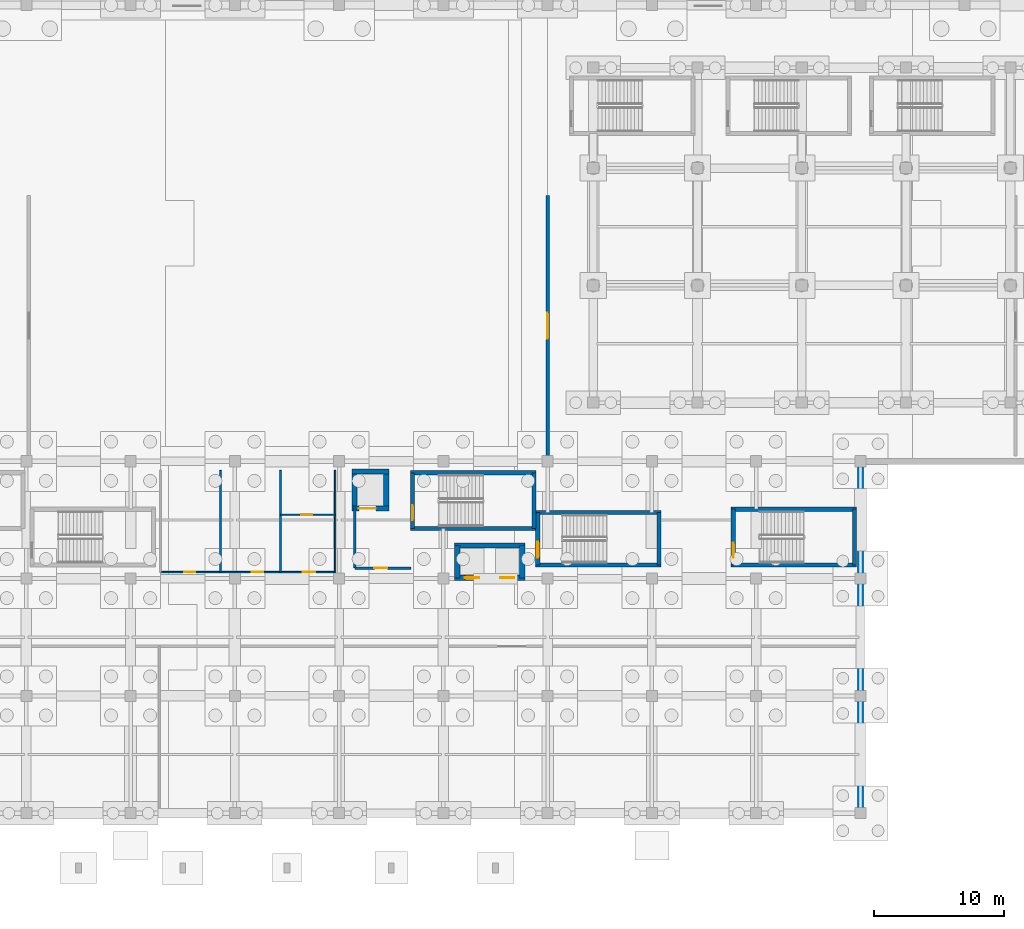
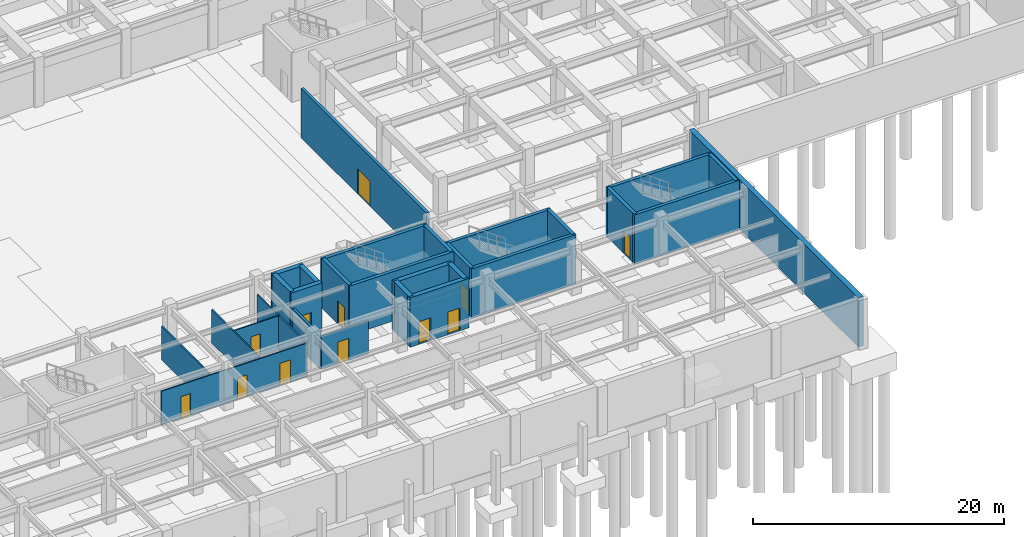
# One storey, part 30 of 48: 29 walls, 12 doors, 12 openings.
"""IFC4 building model written with IfcOpenShell, lengths in metres."""

from ifc_helpers import new_model, si_unit, direction, frame, frame_2d, origin, place, context, subcontext, project, spatial, rectangle, extrude, material, layer, layer_set, type_object, element, fill, save


model = new_model("IFC4")

# Units and contexts
model_context = context("Model", 3, precision=1e-05, world=origin(), true_north=direction((0.0, 1.0)))
body_context = subcontext(model_context, "Body", "Model", "MODEL_VIEW")
ifc_project = project(units=[si_unit("LENGTHUNIT", "METRE"), si_unit("AREAUNIT", "SQUARE_METRE"), si_unit("VOLUMEUNIT", "CUBIC_METRE"), si_unit("PLANEANGLEUNIT", "RADIAN"), si_unit("MASSUNIT", "GRAM", prefix="KILO")], contexts=[model_context])

# Site, building, storey
site_placement = place(None, origin())
site = spatial("IfcSite", under=ifc_project, at=site_placement, CompositionType="ELEMENT")
building_placement = place(site_placement, origin())
building = spatial("IfcBuilding", under=site, at=building_placement, Name="Tlacozan Convention Centre", CompositionType="ELEMENT")
storey_placement = place(building_placement, frame((0.0, 0.0, -4.800048828125)))
storey = spatial("IfcBuildingStorey", under=building, at=storey_placement, Name="B01", CompositionType="ELEMENT", Elevation=-4.800048828125)

# Wall
ifc_material_1 = material(Name="Concrete C35/45", Category="concrete")
ifc_layer_1 = layer(ifc_material_1, 0.4599609375)
ifc_layer_set_1 = layer_set([ifc_layer_1], Name="Concrete C35/45")
wall_type_1 = type_object("IfcWallType", Name="Basement Retaining Wall 460", PredefinedType="SOLIDWALL", material=ifc_layer_set_1)
wall_1_placement = place(storey_placement, frame((112.0, 0.0, 0.0), z_axis=(0.0, 0.0, 1.0), x_axis=(0.0, 1.0, 0.0)))
element("IfcWall", 1, at=wall_1_placement, inside=storey, type_object=wall_type_1, Name="B01 Basement Retaining Wall 460 2", PredefinedType="SOLIDWALL", context=body_context, shape_type="SweptSolid", body=[
    extrude(rectangle(XDim=27.0, YDim=0.4599609375, at=frame_2d((13.5, 0.0))), origin(), (0.0, 0.0, 1.0), 4.800048828125),
])

# Wall, opening, door
ifc_material_2 = material(Name="Concrete C40/50", Category="concrete")
ifc_layer_2 = layer(ifc_material_2, 0.260009765625)
ifc_layer_set_2 = layer_set([ifc_layer_2], Name="Concrete C40/50")
wall_type_2 = type_object("IfcWallType", Name="Compartment Rated Wall RC 260", PredefinedType="SOLIDWALL", material=ifc_layer_set_2)
wall_2_placement = place(storey_placement, frame((88.0, 27.39990234375, 0.0), z_axis=(0.0, 0.0, 1.0), x_axis=(0.0, 1.0, 0.0)))
wall_2 = element("IfcWall", 2, at=wall_2_placement, inside=storey, type_object=wall_type_2, Name="B01 Compartment Rated Wall RC 260 569", PredefinedType="SOLIDWALL", context=body_context, shape_type="SweptSolid", body=[
    extrude(rectangle(XDim=20.0, YDim=0.260009765625, at=frame_2d((10.0, 0.0))), origin(), (0.0, 0.0, 1.0), 4.800048828125),
])
opening_1_placement = place(wall_2_placement, frame((9.0, 0.0, 0.0)))
opening_1 = element("IfcOpeningElement", 3, at=opening_1_placement, cuts=wall_2, Name="Opening ID-12", PredefinedType="OPENING", context=body_context, shape_type="SweptSolid", body=[
    extrude(rectangle(XDim=2.0, YDim=2.449951171875, at=frame_2d((1.0, 1.22509765625))), frame((0.0, 0.139892578125, 0.0), z_axis=(0.0, -1.0, 0.0), x_axis=(1.0, 0.0, 0.0)), (0.0, 0.0, 1.0), 0.280029296875),
])
ifc_material_3 = material(Name="Fire-Rated Insulated Steel Door Leaf", Category="steel")
door_type_1 = type_object("IfcDoorType", Name="Plant Equipment Double Door 2000x2450", OperationType="DOUBLE_DOOR_SINGLE_SWING", PredefinedType="DOOR", material=ifc_material_3)
door_1_placement = place(opening_1_placement, origin())
door_1 = element("IfcDoor", 4, at=door_1_placement, inside=storey, type_object=door_type_1, Name="B01 Plant Equipment Double Door 2000x2450 155", OperationType="DOUBLE_DOOR_SINGLE_SWING", OverallHeight=2.449951171875, OverallWidth=2.0, PredefinedType="DOOR", context=body_context, shape_type="SweptSolid", body=[
    extrude(rectangle(XDim=2.0, YDim=2.449951171875, at=frame_2d((1.0, 1.22509765625))), frame((0.0, 0.02490234375, 0.0), z_axis=(0.0, -1.0, 0.0), x_axis=(1.0, 0.0, 0.0)), (0.0, 0.0, 1.0), 0.050048828125),
])
fill(opening_1, door_1)

ifc_layer_3 = layer(ifc_material_2, 0.409912109375)
ifc_layer_set_3 = layer_set([ifc_layer_3], Name="Concrete C40/50")
wall_type_3 = type_object("IfcWallType", Name="Core Shear Wall RC 410", PredefinedType="SHEAR", material=ifc_layer_set_3)
wall_3_placement = place(storey_placement, frame((72.97509765625, 23.3798828125, 0.0), z_axis=(0.0, 0.0, 1.0), x_axis=(1.0, 0.0, 0.0)))
wall_3 = element("IfcWall", 5, at=wall_3_placement, inside=storey, type_object=wall_type_3, Name="B01 Core Shear Wall RC 410 91", PredefinedType="SHEAR", context=body_context, shape_type="SweptSolid", body=[
    extrude(rectangle(XDim=2.849853515625, YDim=0.409912109375, at=frame_2d((1.4248046875, 0.0))), origin(), (0.0, 0.0, 1.0), 4.800048828125),
])
opening_2_placement = place(wall_3_placement, frame((0.550048828125, 0.0, 0.0)))
opening_2 = element("IfcOpeningElement", 6, at=opening_2_placement, cuts=wall_3, Name="Opening LD-02", PredefinedType="OPENING", context=body_context, shape_type="SweptSolid", body=[
    extrude(rectangle(XDim=1.300048828125, YDim=2.25, at=frame_2d((0.64990234375, 1.125))), frame((0.0, 0.21484375, 0.0), z_axis=(0.0, -1.0, 0.0), x_axis=(1.0, 0.0, 0.0)), (0.0, 0.0, 1.0), 0.429931640625),
])
ifc_material_4 = material(Name="Brushed Stainless Steel Sliding Landing Door", Category="steel")
door_type_2 = type_object("IfcDoorType", Name="Firefighting Lift Sliding Door 1300x2250", OperationType="DOUBLE_DOOR_SLIDING", PredefinedType="DOOR", material=ifc_material_4)
door_2_placement = place(opening_2_placement, origin())
door_2 = element("IfcDoor", 7, at=door_2_placement, inside=storey, type_object=door_type_2, Name="B01 Firefighting Lift FL-02 Landing Door", OperationType="DOUBLE_DOOR_SLIDING", OverallHeight=2.25, OverallWidth=1.300048828125, PredefinedType="DOOR", context=body_context, shape_type="SweptSolid", body=[
    extrude(rectangle(XDim=1.300048828125, YDim=2.25, at=frame_2d((0.64990234375, 1.125))), frame((0.0, 0.02490234375, 0.0), z_axis=(0.0, -1.0, 0.0), x_axis=(1.0, 0.0, 0.0)), (0.0, 0.0, 1.0), 0.050048828125),
])
fill(opening_2, door_2)

# Walls
wall_4_placement = place(storey_placement, frame((72.97509765625, 26.219970703125, 0.0), z_axis=(0.0, 0.0, 1.0), x_axis=(1.0, 0.0, 0.0)))
element("IfcWall", 8, at=wall_4_placement, inside=storey, type_object=wall_type_3, Name="B01 Core Shear Wall RC 410 92", PredefinedType="SHEAR", context=body_context, shape_type="SweptSolid", body=[
    extrude(rectangle(XDim=2.849853515625, YDim=0.409912109375, at=frame_2d((1.4248046875, 0.0))), origin(), (0.0, 0.0, 1.0), 4.800048828125),
])
for number, where, z_axis, x_axis, name in (
    (9, (73.179931640625, 23.3798828125, 0.0), (0.0, 0.0, 1.0), (0.0, 1.0, 0.0), "B01 Core Shear Wall RC 410 93"),
    (10, (75.6201171875, 23.3798828125, 0.0), (0.0, 0.0, 1.0), (0.0, 1.0, 0.0), "B01 Core Shear Wall RC 410 94"),
):
    element("IfcWall", number, at=place(storey_placement, frame(where, z_axis=z_axis, x_axis=x_axis)), inside=storey, type_object=wall_type_3, Name=name, PredefinedType="SHEAR", context=body_context, shape_type="SweptSolid", body=[
        extrude(rectangle(XDim=2.840087890625, YDim=0.409912109375, at=frame_2d((1.419921875, 0.0))), origin(), (0.0, 0.0, 1.0), 4.800048828125),
    ])

# Wall, openings, doors
wall_5_placement = place(storey_placement, frame((80.85498046875, 18.06005859375, 0.0), z_axis=(0.0, 0.0, 1.0), x_axis=(1.0, 0.0, 0.0)))
wall_5 = element("IfcWall", 11, at=wall_5_placement, inside=storey, type_object=wall_type_3, Name="B01 Core Shear Wall RC 410 95", PredefinedType="SHEAR", context=body_context, shape_type="SweptSolid", body=[
    extrude(rectangle(XDim=5.39013671875, YDim=0.409912109375, at=frame_2d((2.695068359375, 0.0))), origin(), (0.0, 0.0, 1.0), 4.800048828125),
])
opening_3_placement = place(wall_5_placement, frame((0.794921875, 0.0, 0.0)))
opening_3 = element("IfcOpeningElement", 12, at=opening_3_placement, cuts=wall_5, Name="Opening LD-01", PredefinedType="OPENING", context=body_context, shape_type="SweptSolid", body=[
    extrude(rectangle(XDim=1.10009765625, YDim=2.199951171875, at=frame_2d((0.550048828125, 1.10009765625))), frame((0.0, 0.21484375, 0.0), z_axis=(0.0, -1.0, 0.0), x_axis=(1.0, 0.0, 0.0)), (0.0, 0.0, 1.0), 0.429931640625),
])
opening_4_placement = place(wall_5_placement, frame((3.4951171875, 0.0, 0.0)))
opening_4 = element("IfcOpeningElement", 13, at=opening_4_placement, cuts=wall_5, Name="Opening LD-01", PredefinedType="OPENING", context=body_context, shape_type="SweptSolid", body=[
    extrude(rectangle(XDim=1.10009765625, YDim=2.199951171875, at=frame_2d((0.550048828125, 1.10009765625))), frame((0.0, 0.21484375, 0.0), z_axis=(0.0, -1.0, 0.0), x_axis=(1.0, 0.0, 0.0)), (0.0, 0.0, 1.0), 0.429931640625),
])
door_type_3 = type_object("IfcDoorType", Name="Lift Sliding Landing Door 1100x2200", OperationType="DOUBLE_DOOR_SLIDING", PredefinedType="DOOR", material=ifc_material_4)
door_3_placement = place(opening_3_placement, origin())
door_3 = element("IfcDoor", 14, at=door_3_placement, inside=storey, type_object=door_type_3, Name="B01 Lift PL-03 Landing Door", OperationType="DOUBLE_DOOR_SLIDING", OverallHeight=2.199951171875, OverallWidth=1.10009765625, PredefinedType="DOOR", context=body_context, shape_type="SweptSolid", body=[
    extrude(rectangle(XDim=1.10009765625, YDim=2.199951171875, at=frame_2d((0.550048828125, 1.10009765625))), frame((0.0, 0.02490234375, 0.0), z_axis=(0.0, -1.0, 0.0), x_axis=(1.0, 0.0, 0.0)), (0.0, 0.0, 1.0), 0.050048828125),
])
fill(opening_3, door_3)
door_4_placement = place(opening_4_placement, origin())
door_4 = element("IfcDoor", 15, at=door_4_placement, inside=storey, type_object=door_type_3, Name="B01 Lift PL-04 Landing Door", OperationType="DOUBLE_DOOR_SLIDING", OverallHeight=2.199951171875, OverallWidth=1.10009765625, PredefinedType="DOOR", context=body_context, shape_type="SweptSolid", body=[
    extrude(rectangle(XDim=1.10009765625, YDim=2.199951171875, at=frame_2d((0.550048828125, 1.10009765625))), frame((0.0, 0.02490234375, 0.0), z_axis=(0.0, -1.0, 0.0), x_axis=(1.0, 0.0, 0.0)), (0.0, 0.0, 1.0), 0.050048828125),
])
fill(opening_4, door_4)

# Walls
wall_6_placement = place(storey_placement, frame((80.85498046875, 20.5400390625, 0.0), z_axis=(0.0, 0.0, 1.0), x_axis=(1.0, 0.0, 0.0)))
element("IfcWall", 16, at=wall_6_placement, inside=storey, type_object=wall_type_3, Name="B01 Core Shear Wall RC 410 96", PredefinedType="SHEAR", context=body_context, shape_type="SweptSolid", body=[
    extrude(rectangle(XDim=5.39013671875, YDim=0.409912109375, at=frame_2d((2.695068359375, 0.0))), origin(), (0.0, 0.0, 1.0), 4.800048828125),
])
for number, where, z_axis, x_axis, name in (
    (17, (81.06005859375, 18.06005859375, 0.0), (0.0, 0.0, 1.0), (0.0, 1.0, 0.0), "B01 Core Shear Wall RC 410 97"),
    (18, (86.0400390625, 18.06005859375, 0.0), (0.0, 0.0, 1.0), (0.0, 1.0, 0.0), "B01 Core Shear Wall RC 410 98"),
):
    element("IfcWall", number, at=place(storey_placement, frame(where, z_axis=z_axis, x_axis=x_axis)), inside=storey, type_object=wall_type_3, Name=name, PredefinedType="SHEAR", context=body_context, shape_type="SweptSolid", body=[
        extrude(rectangle(XDim=2.47998046875, YDim=0.409912109375, at=frame_2d((1.239990234375, 0.0))), origin(), (0.0, 0.0, 1.0), 4.800048828125),
    ])

# Wall, opening, door
ifc_material_5 = material(Name="Fire-Rated Gypsum Stud Partition Assembly")
ifc_layer_4 = layer(ifc_material_5, 0.2099609375)
ifc_layer_set_4 = layer_set([ifc_layer_4], Name="Fire-Rated Gypsum Stud Partition Assembly")
wall_type_4 = type_object("IfcWallType", Name="Firefighting Lobby Rated Wall 210", PredefinedType="PARTITIONING", material=ifc_layer_set_4)
wall_7_placement = place(storey_placement, frame((73.199951171875, 18.800048828125, 0.0), z_axis=(0.0, 0.0, 1.0), x_axis=(1.0, 0.0, 0.0)))
wall_7 = element("IfcWall", 19, at=wall_7_placement, inside=storey, type_object=wall_type_4, Name="B01 Firefighting Lobby Rated Wall 210 89", PredefinedType="PARTITIONING", context=body_context, shape_type="SweptSolid", body=[
    extrude(rectangle(XDim=4.300048828125, YDim=0.2099609375, at=frame_2d((2.14990234375, 0.0))), origin(), (0.0, 0.0, 1.0), 3.25),
])
opening_5_placement = place(wall_7_placement, frame((1.5, 0.0, 0.0)))
opening_5 = element("IfcOpeningElement", 20, at=opening_5_placement, cuts=wall_7, Name="Opening FD-01", PredefinedType="OPENING", context=body_context, shape_type="SweptSolid", body=[
    extrude(rectangle(XDim=1.0, YDim=2.14990234375, at=frame_2d((0.5, 1.074951171875))), frame((0.0, 0.114990234375, 0.0), z_axis=(0.0, -1.0, 0.0), x_axis=(1.0, 0.0, 0.0)), (0.0, 0.0, 1.0), 0.22998046875),
])
door_type_4 = type_object("IfcDoorType", Name="Fire Door Single 1000x2150 FD90", OperationType="NOTDEFINED", PredefinedType="DOOR", material=ifc_material_3)
door_5_placement = place(opening_5_placement, origin())
door_5 = element("IfcDoor", 21, at=door_5_placement, inside=storey, type_object=door_type_4, Name="B01 CORE-2 Firefighting Lobby Entry Door", OperationType="SINGLE_SWING_LEFT", OverallHeight=2.14990234375, OverallWidth=1.0, PredefinedType="DOOR", context=body_context, shape_type="SweptSolid", body=[
    extrude(rectangle(XDim=1.0, YDim=2.14990234375, at=frame_2d((0.5, 1.074951171875))), frame((0.0, 0.02490234375, 0.0), z_axis=(0.0, -1.0, 0.0), x_axis=(1.0, 0.0, 0.0)), (0.0, 0.0, 1.0), 0.050048828125),
])
fill(opening_5, door_5)

# Wall
wall_8_placement = place(storey_placement, frame((73.199951171875, 18.800048828125, 0.0), z_axis=(0.0, 0.0, 1.0), x_axis=(0.0, 1.0, 0.0)))
element("IfcWall", 22, at=wall_8_placement, inside=storey, type_object=wall_type_4, Name="B01 Firefighting Lobby Rated Wall 210 90", PredefinedType="PARTITIONING", context=body_context, shape_type="SweptSolid", body=[
    extrude(rectangle(XDim=4.599853515625, YDim=0.2099609375, at=frame_2d((2.2998046875, 0.0))), origin(), (0.0, 0.0, 1.0), 3.25),
])

# Wall, openings, doors
ifc_material_6 = material(Name="Acoustic Double-Stud Partition Assembly")
ifc_layer_5 = layer(ifc_material_6, 0.1201171875)
ifc_layer_set_5 = layer_set([ifc_layer_5], Name="Acoustic Double-Stud Partition Assembly")
wall_type_5 = type_object("IfcWallType", Name="Sanitary Tile Partition 120", PredefinedType="PARTITIONING", material=ifc_layer_set_5)
wall_9_placement = place(storey_placement, frame((58.300048828125, 18.5, 0.0), z_axis=(0.0, 0.0, 1.0), x_axis=(1.0, 0.0, 0.0)))
wall_9 = element("IfcWall", 23, at=wall_9_placement, inside=storey, type_object=wall_type_5, Name="B01 Sanitary Tile Partition 120 525", PredefinedType="PARTITIONING", context=body_context, shape_type="SweptSolid", body=[
    extrude(rectangle(XDim=13.39990234375, YDim=0.1201171875, at=frame_2d((6.699951171875, 0.0))), origin(), (0.0, 0.0, 1.0), 3.25),
])
opening_6_placement = place(wall_9_placement, frame((1.800048828125, 0.0, 0.0)))
opening_6 = element("IfcOpeningElement", 24, at=opening_6_placement, cuts=wall_9, Name="Opening ID-05", PredefinedType="OPENING", context=body_context, shape_type="SweptSolid", body=[
    extrude(rectangle(XDim=0.8798828125, YDim=2.10009765625, at=frame_2d((0.43994140625, 1.050048828125))), frame((0.0, 0.070068359375, 0.0), z_axis=(0.0, -1.0, 0.0), x_axis=(1.0, 0.0, 0.0)), (0.0, 0.0, 1.0), 0.14013671875),
])
opening_7_placement = place(wall_9_placement, frame((7.0, 0.0, 0.0)))
opening_7 = element("IfcOpeningElement", 25, at=opening_7_placement, cuts=wall_9, Name="Opening ID-05", PredefinedType="OPENING", context=body_context, shape_type="SweptSolid", body=[
    extrude(rectangle(XDim=0.8798828125, YDim=2.10009765625, at=frame_2d((0.43994140625, 1.050048828125))), frame((0.0, 0.070068359375, 0.0), z_axis=(0.0, -1.0, 0.0), x_axis=(1.0, 0.0, 0.0)), (0.0, 0.0, 1.0), 0.14013671875),
])
opening_8_placement = place(wall_9_placement, frame((10.89990234375, 0.0, 0.0)))
opening_8 = element("IfcOpeningElement", 26, at=opening_8_placement, cuts=wall_9, Name="Opening ID-04", PredefinedType="OPENING", context=body_context, shape_type="SweptSolid", body=[
    extrude(rectangle(XDim=0.97998046875, YDim=2.14990234375, at=frame_2d((0.489990234375, 1.074951171875))), frame((0.0, 0.070068359375, 0.0), z_axis=(0.0, -1.0, 0.0), x_axis=(1.0, 0.0, 0.0)), (0.0, 0.0, 1.0), 0.14013671875),
])
ifc_material_7 = material(Name="Acoustic Solid-Core Oak Veneer Door")
door_type_5 = type_object("IfcDoorType", Name="Accessible Restroom Door 980x2150", OperationType="NOTDEFINED", PredefinedType="DOOR", material=ifc_material_7)
door_6_placement = place(opening_8_placement, origin())
door_6 = element("IfcDoor", 27, at=door_6_placement, inside=storey, type_object=door_type_5, Name="B01 Accessible Restroom Door", OperationType="SINGLE_SWING_LEFT", OverallHeight=2.14990234375, OverallWidth=0.97998046875, PredefinedType="DOOR", context=body_context, shape_type="SweptSolid", body=[
    extrude(rectangle(XDim=0.97998046875, YDim=2.14990234375, at=frame_2d((0.489990234375, 1.074951171875))), frame((0.0, 0.02490234375, 0.0), z_axis=(0.0, -1.0, 0.0), x_axis=(1.0, 0.0, 0.0)), (0.0, 0.0, 1.0), 0.050048828125),
])
fill(opening_8, door_6)
door_type_6 = type_object("IfcDoorType", Name="Restroom Single Door 880x2100", OperationType="NOTDEFINED", PredefinedType="DOOR", material=ifc_material_7)
door_7_placement = place(opening_6_placement, origin())
door_7 = element("IfcDoor", 28, at=door_7_placement, inside=storey, type_object=door_type_6, Name="B01 Male Restroom Door", OperationType="SINGLE_SWING_LEFT", OverallHeight=2.10009765625, OverallWidth=0.8798828125, PredefinedType="DOOR", context=body_context, shape_type="SweptSolid", body=[
    extrude(rectangle(XDim=0.8798828125, YDim=2.10009765625, at=frame_2d((0.43994140625, 1.050048828125))), frame((0.0, 0.02490234375, 0.0), z_axis=(0.0, -1.0, 0.0), x_axis=(1.0, 0.0, 0.0)), (0.0, 0.0, 1.0), 0.050048828125),
])
fill(opening_6, door_7)
door_8_placement = place(opening_7_placement, origin())
door_8 = element("IfcDoor", 29, at=door_8_placement, inside=storey, type_object=door_type_6, Name="B01 Female Restroom Door", OperationType="SINGLE_SWING_RIGHT", OverallHeight=2.10009765625, OverallWidth=0.8798828125, PredefinedType="DOOR", context=body_context, shape_type="SweptSolid", body=[
    extrude(rectangle(XDim=0.8798828125, YDim=2.10009765625, at=frame_2d((0.43994140625, 1.050048828125))), frame((0.0, 0.02490234375, 0.0), z_axis=(0.0, -1.0, 0.0), x_axis=(1.0, 0.0, 0.0)), (0.0, 0.0, 1.0), 0.050048828125),
])
fill(opening_7, door_8)

# Walls
for number, where, z_axis, x_axis, name in (
    (30, (62.89990234375, 18.5, 0.0), (0.0, 0.0, 1.0), (0.0, 1.0, 0.0), "B01 Sanitary Tile Partition 120 527"),
    (31, (67.5, 18.5, 0.0), (0.0, 0.0, 1.0), (0.0, 1.0, 0.0), "B01 Sanitary Tile Partition 120 528"),
    (32, (71.699951171875, 18.5, 0.0), (0.0, 0.0, 1.0), (0.0, 1.0, 0.0), "B01 Sanitary Tile Partition 120 529"),
):
    element("IfcWall", number, at=place(storey_placement, frame(where, z_axis=z_axis, x_axis=x_axis)), inside=storey, type_object=wall_type_5, Name=name, PredefinedType="PARTITIONING", context=body_context, shape_type="SweptSolid", body=[
        extrude(rectangle(XDim=7.800048828125, YDim=0.1201171875, at=frame_2d((3.89990234375, 0.0))), origin(), (0.0, 0.0, 1.0), 3.25),
    ])

# Wall, opening, door
ifc_layer_6 = layer(ifc_material_5, 0.10009765625)
ifc_layer_set_6 = layer_set([ifc_layer_6], Name="Fire-Rated Gypsum Stud Partition Assembly")
wall_type_6 = type_object("IfcWallType", Name="Service Duct Partition 100", PredefinedType="PARTITIONING", material=ifc_layer_set_6)
wall_10_placement = place(storey_placement, frame((67.5, 22.89990234375, 0.0), z_axis=(0.0, 0.0, 1.0), x_axis=(1.0, 0.0, 0.0)))
wall_10 = element("IfcWall", 33, at=wall_10_placement, inside=storey, type_object=wall_type_6, Name="B01 Service Duct Partition 100 530", PredefinedType="PARTITIONING", context=body_context, shape_type="SweptSolid", body=[
    extrude(rectangle(XDim=4.199951171875, YDim=0.10009765625, at=frame_2d((2.10009765625, 0.0))), origin(), (0.0, 0.0, 1.0), 3.25),
])
opening_9_placement = place(wall_10_placement, frame((1.60009765625, 0.0, 0.0)))
opening_9 = element("IfcOpeningElement", 34, at=opening_9_placement, cuts=wall_10, Name="Opening ID-06", PredefinedType="OPENING", context=body_context, shape_type="SweptSolid", body=[
    extrude(rectangle(XDim=0.85009765625, YDim=2.10009765625, at=frame_2d((0.425048828125, 1.050048828125))), frame((0.0, 0.06005859375, 0.0), z_axis=(0.0, -1.0, 0.0), x_axis=(1.0, 0.0, 0.0)), (0.0, 0.0, 1.0), 0.1201171875),
])
door_type_7 = type_object("IfcDoorType", Name="Service Closet Door 850x2100", OperationType="NOTDEFINED", PredefinedType="DOOR", material=ifc_material_7)
door_9_placement = place(opening_9_placement, origin())
door_9 = element("IfcDoor", 35, at=door_9_placement, inside=storey, type_object=door_type_7, Name="B01 Housekeeping Closet Door", OperationType="SINGLE_SWING_RIGHT", OverallHeight=2.10009765625, OverallWidth=0.85009765625, PredefinedType="DOOR", context=body_context, shape_type="SweptSolid", body=[
    extrude(rectangle(XDim=0.85009765625, YDim=2.10009765625, at=frame_2d((0.425048828125, 1.050048828125))), frame((0.0, 0.02490234375, 0.0), z_axis=(0.0, -1.0, 0.0), x_axis=(1.0, 0.0, 0.0)), (0.0, 0.0, 1.0), 0.050048828125),
])
fill(opening_9, door_9)

# Walls
ifc_layer_7 = layer(ifc_material_2, 0.31005859375)
ifc_layer_set_7 = layer_set([ifc_layer_7], Name="Concrete C40/50")
wall_type_7 = type_object("IfcWallType", Name="Stair Shaft Shear Wall RC 310", PredefinedType="SHEAR", material=ifc_layer_set_7)
for number, where, z_axis, x_axis, name in (
    (36, (77.485107421875, 21.840087890625, 0.0), (0.0, 0.0, 1.0), (1.0, 0.0, 0.0), "B01 Stair Shaft Shear Wall RC 310 85"),
    (37, (77.485107421875, 26.1201171875, 0.0), (0.0, 0.0, 1.0), (1.0, 0.0, 0.0), "B01 Stair Shaft Shear Wall RC 310 86"),
):
    element("IfcWall", number, at=place(storey_placement, frame(where, z_axis=z_axis, x_axis=x_axis)), inside=storey, type_object=wall_type_7, Name=name, PredefinedType="SHEAR", context=body_context, shape_type="SweptSolid", body=[
        extrude(rectangle(XDim=9.6298828125, YDim=0.31005859375, at=frame_2d((4.81494140625, 0.0))), origin(), (0.0, 0.0, 1.0), 4.800048828125),
    ])

# Wall, opening, door
wall_11_placement = place(storey_placement, frame((77.639892578125, 21.840087890625, 0.0), z_axis=(0.0, 0.0, 1.0), x_axis=(0.0, 1.0, 0.0)))
wall_11 = element("IfcWall", 38, at=wall_11_placement, inside=storey, type_object=wall_type_7, Name="B01 Stair Shaft Shear Wall RC 310 87", PredefinedType="SHEAR", context=body_context, shape_type="SweptSolid", body=[
    extrude(rectangle(XDim=4.280029296875, YDim=0.31005859375, at=frame_2d((2.14013671875, 0.0))), origin(), (0.0, 0.0, 1.0), 4.800048828125),
])
opening_10_placement = place(wall_11_placement, frame((0.64990234375, 0.0, 0.0)))
opening_10 = element("IfcOpeningElement", 39, at=opening_10_placement, cuts=wall_11, Name="Opening FD-02", PredefinedType="OPENING", context=body_context, shape_type="SweptSolid", body=[
    extrude(rectangle(XDim=1.14990234375, YDim=2.199951171875, at=frame_2d((0.574951171875, 1.10009765625))), frame((0.0, 0.1650390625, 0.0), z_axis=(0.0, -1.0, 0.0), x_axis=(1.0, 0.0, 0.0)), (0.0, 0.0, 1.0), 0.330078125),
])
door_type_8 = type_object("IfcDoorType", Name="Fire Door Stair 1150x2200 FD90", OperationType="NOTDEFINED", PredefinedType="DOOR", material=ifc_material_3)
door_10_placement = place(opening_10_placement, origin())
door_10 = element("IfcDoor", 40, at=door_10_placement, inside=storey, type_object=door_type_8, Name="B01 Stair ST-02 Fire Door", OperationType="SINGLE_SWING_RIGHT", OverallHeight=2.199951171875, OverallWidth=1.14990234375, PredefinedType="DOOR", context=body_context, shape_type="SweptSolid", body=[
    extrude(rectangle(XDim=1.14990234375, YDim=2.199951171875, at=frame_2d((0.574951171875, 1.10009765625))), frame((0.0, 0.02490234375, 0.0), z_axis=(0.0, -1.0, 0.0), x_axis=(1.0, 0.0, 0.0)), (0.0, 0.0, 1.0), 0.050048828125),
])
fill(opening_10, door_10)

# Walls
wall_12_placement = place(storey_placement, frame((86.9599609375, 21.840087890625, 0.0), z_axis=(0.0, 0.0, 1.0), x_axis=(0.0, 1.0, 0.0)))
element("IfcWall", 41, at=wall_12_placement, inside=storey, type_object=wall_type_7, Name="B01 Stair Shaft Shear Wall RC 310 88", PredefinedType="SHEAR", context=body_context, shape_type="SweptSolid", body=[
    extrude(rectangle(XDim=4.280029296875, YDim=0.31005859375, at=frame_2d((2.14013671875, 0.0))), origin(), (0.0, 0.0, 1.0), 4.800048828125),
])
for number, where, z_axis, x_axis, name in (
    (42, (102.0849609375, 19.0400390625, 0.0), (0.0, 0.0, 1.0), (1.0, 0.0, 0.0), "B01 Stair Shaft Shear Wall RC 310 265"),
    (43, (102.0849609375, 23.320068359375, 0.0), (0.0, 0.0, 1.0), (1.0, 0.0, 0.0), "B01 Stair Shaft Shear Wall RC 310 266"),
):
    element("IfcWall", number, at=place(storey_placement, frame(where, z_axis=z_axis, x_axis=x_axis)), inside=storey, type_object=wall_type_7, Name=name, PredefinedType="SHEAR", context=body_context, shape_type="SweptSolid", body=[
        extrude(rectangle(XDim=9.630126953125, YDim=0.31005859375, at=frame_2d((4.81494140625, 0.0))), origin(), (0.0, 0.0, 1.0), 4.800048828125),
    ])

# Wall, opening, door
wall_13_placement = place(storey_placement, frame((102.239990234375, 19.0400390625, 0.0), z_axis=(0.0, 0.0, 1.0), x_axis=(0.0, 1.0, 0.0)))
wall_13 = element("IfcWall", 44, at=wall_13_placement, inside=storey, type_object=wall_type_7, Name="B01 Stair Shaft Shear Wall RC 310 267", PredefinedType="SHEAR", context=body_context, shape_type="SweptSolid", body=[
    extrude(rectangle(XDim=4.280029296875, YDim=0.31005859375, at=frame_2d((2.14013671875, 0.0))), origin(), (0.0, 0.0, 1.0), 4.800048828125),
])
opening_11_placement = place(wall_13_placement, frame((0.550048828125, 0.0, 0.0)))
opening_11 = element("IfcOpeningElement", 45, at=opening_11_placement, cuts=wall_13, Name="Opening FD-02", PredefinedType="OPENING", context=body_context, shape_type="SweptSolid", body=[
    extrude(rectangle(XDim=1.14990234375, YDim=2.199951171875, at=frame_2d((0.574951171875, 1.10009765625))), frame((0.0, 0.1650390625, 0.0), z_axis=(0.0, -1.0, 0.0), x_axis=(1.0, 0.0, 0.0)), (0.0, 0.0, 1.0), 0.330078125),
])
door_11_placement = place(opening_11_placement, origin())
door_11 = element("IfcDoor", 46, at=door_11_placement, inside=storey, type_object=door_type_8, Name="B01 Stair ST-05 Access Door", OperationType="SINGLE_SWING_LEFT", OverallHeight=2.199951171875, OverallWidth=1.14990234375, PredefinedType="DOOR", context=body_context, shape_type="SweptSolid", body=[
    extrude(rectangle(XDim=1.14990234375, YDim=2.199951171875, at=frame_2d((0.574951171875, 1.10009765625))), frame((0.0, 0.02490234375, 0.0), z_axis=(0.0, -1.0, 0.0), x_axis=(1.0, 0.0, 0.0)), (0.0, 0.0, 1.0), 0.050048828125),
])
fill(opening_11, door_11)

# Walls
wall_14_placement = place(storey_placement, frame((111.56005859375, 19.0400390625, 0.0), z_axis=(0.0, 0.0, 1.0), x_axis=(0.0, 1.0, 0.0)))
element("IfcWall", 47, at=wall_14_placement, inside=storey, type_object=wall_type_7, Name="B01 Stair Shaft Shear Wall RC 310 268", PredefinedType="SHEAR", context=body_context, shape_type="SweptSolid", body=[
    extrude(rectangle(XDim=4.280029296875, YDim=0.31005859375, at=frame_2d((2.14013671875, 0.0))), origin(), (0.0, 0.0, 1.0), 4.800048828125),
])
for number, where, z_axis, x_axis, name in (
    (48, (87.0849609375, 19.0400390625, 0.0), (0.0, 0.0, 1.0), (1.0, 0.0, 0.0), "B01 Stair Shaft Shear Wall RC 310 333"),
    (49, (87.0849609375, 23.06005859375, 0.0), (0.0, 0.0, 1.0), (1.0, 0.0, 0.0), "B01 Stair Shaft Shear Wall RC 310 334"),
):
    element("IfcWall", number, at=place(storey_placement, frame(where, z_axis=z_axis, x_axis=x_axis)), inside=storey, type_object=wall_type_7, Name=name, PredefinedType="SHEAR", context=body_context, shape_type="SweptSolid", body=[
        extrude(rectangle(XDim=9.630126953125, YDim=0.31005859375, at=frame_2d((4.81494140625, 0.0))), origin(), (0.0, 0.0, 1.0), 4.800048828125),
    ])

# Wall, opening, door
wall_15_placement = place(storey_placement, frame((87.239990234375, 19.0400390625, 0.0), z_axis=(0.0, 0.0, 1.0), x_axis=(0.0, 1.0, 0.0)))
wall_15 = element("IfcWall", 50, at=wall_15_placement, inside=storey, type_object=wall_type_7, Name="B01 Stair Shaft Shear Wall RC 310 335", PredefinedType="SHEAR", context=body_context, shape_type="SweptSolid", body=[
    extrude(rectangle(XDim=4.02001953125, YDim=0.31005859375, at=frame_2d((2.010009765625, 0.0))), origin(), (0.0, 0.0, 1.0), 4.800048828125),
])
opening_12_placement = place(wall_15_placement, frame((0.550048828125, 0.0, 0.0)))
opening_12 = element("IfcOpeningElement", 51, at=opening_12_placement, cuts=wall_15, Name="Opening FD-05", PredefinedType="OPENING", context=body_context, shape_type="SweptSolid", body=[
    extrude(rectangle(XDim=1.25, YDim=2.199951171875, at=frame_2d((0.625, 1.10009765625))), frame((0.0, 0.1650390625, 0.0), z_axis=(0.0, -1.0, 0.0), x_axis=(1.0, 0.0, 0.0)), (0.0, 0.0, 1.0), 0.330078125),
])
door_type_9 = type_object("IfcDoorType", Name="Fire Door Wide Stair 1250x2200 FD90", OperationType="NOTDEFINED", PredefinedType="DOOR", material=ifc_material_3)
door_12_placement = place(opening_12_placement, origin())
door_12 = element("IfcDoor", 52, at=door_12_placement, inside=storey, type_object=door_type_9, Name="B01 Stair ST-15 Access Door", OperationType="SINGLE_SWING_RIGHT", OverallHeight=2.199951171875, OverallWidth=1.25, PredefinedType="DOOR", context=body_context, shape_type="SweptSolid", body=[
    extrude(rectangle(XDim=1.25, YDim=2.199951171875, at=frame_2d((0.625, 1.10009765625))), frame((0.0, 0.02490234375, 0.0), z_axis=(0.0, -1.0, 0.0), x_axis=(1.0, 0.0, 0.0)), (0.0, 0.0, 1.0), 0.050048828125),
])
fill(opening_12, door_12)

# Wall
wall_16_placement = place(storey_placement, frame((96.56005859375, 19.0400390625, 0.0), z_axis=(0.0, 0.0, 1.0), x_axis=(0.0, 1.0, 0.0)))
element("IfcWall", 53, at=wall_16_placement, inside=storey, type_object=wall_type_7, Name="B01 Stair Shaft Shear Wall RC 310 336", PredefinedType="SHEAR", context=body_context, shape_type="SweptSolid", body=[
    extrude(rectangle(XDim=4.02001953125, YDim=0.31005859375, at=frame_2d((2.010009765625, 0.0))), origin(), (0.0, 0.0, 1.0), 4.800048828125),
])

save(model, "model.ifc")
